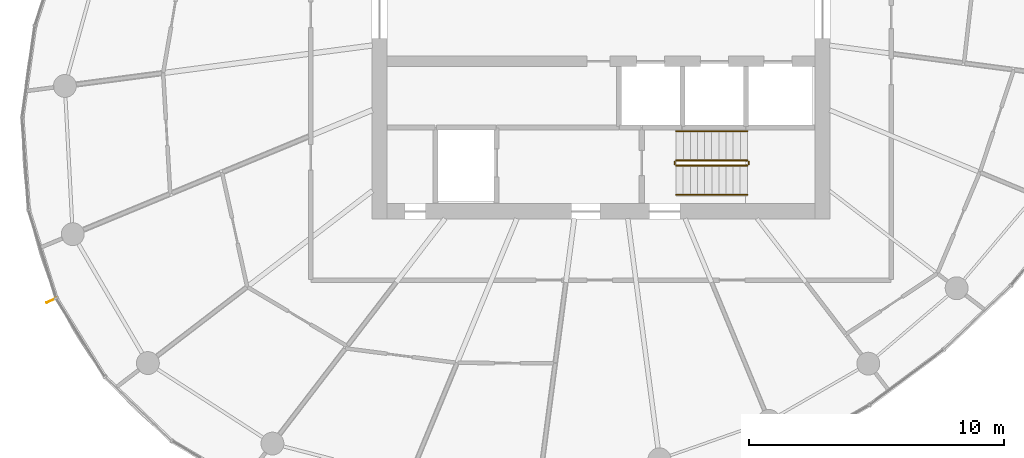
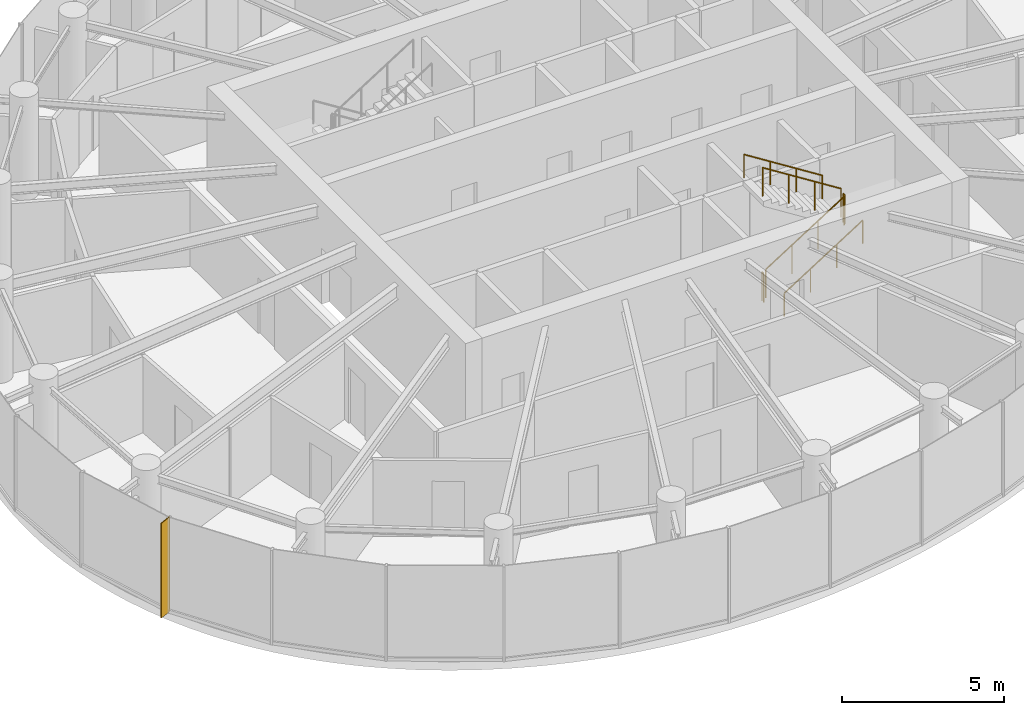
# One storey, part 14 of 15: 6 railings, 1 shading device.
"""IFC4 building model written with IfcOpenShell, lengths in metres."""

from ifc_helpers import new_model, si_unit, direction, frame, origin, origin_2d, place, context, subcontext, project, spatial, rectangle, circle, extrude, source, transform, mapped, material, material_profile, profile_set, type_object, element, save


model = new_model("IFC4")

# Units and contexts
model_context = context("Model", 3, precision=1e-05, world=origin(), true_north=direction((0.0, 1.0)))
body_context = subcontext(model_context, "Body", "Model", "MODEL_VIEW")
ifc_project = project(units=[si_unit("LENGTHUNIT", "METRE"), si_unit("AREAUNIT", "SQUARE_METRE"), si_unit("VOLUMEUNIT", "CUBIC_METRE"), si_unit("PLANEANGLEUNIT", "RADIAN"), si_unit("MASSUNIT", "GRAM", prefix="KILO")], contexts=[model_context])

# Site, building, storey
site_placement = place(None, origin())
site = spatial("IfcSite", under=ifc_project, at=site_placement, CompositionType="ELEMENT")
building_placement = place(site_placement, origin())
building = spatial("IfcBuilding", under=site, at=building_placement, Name="Spindrift Exchange Tower", CompositionType="ELEMENT")
storey_placement = place(building_placement, frame((0.0, 0.0, 199.39990234375)))
storey = spatial("IfcBuildingStorey", under=building, at=storey_placement, Name="L48", CompositionType="ELEMENT", Elevation=199.39990234375)

# Railings
ifc_material_1 = material(Name="Steel balustrade", Category="steel")
railing_type_1 = type_object("IfcRailingType", Name="RL-STAIR-GUARD", PredefinedType="GUARDRAIL", material=ifc_material_1)
railing_1_placement = place(storey_placement, frame((54.949951171875, 42.10009765625, 0.177490234375)))
element("IfcRailing", 1, at=railing_1_placement, inside=storey, type_object=railing_type_1, Name="L48 ST2 stair guard 1", PredefinedType="GUARDRAIL", context=body_context, shape_type="SweptSolid", body=[
    extrude(circle(Radius=0.02392578125, at=origin_2d()), frame((0.0, 0.0, 1.076171875), z_axis=(0.844908973607, 0.0, 0.534910110503), x_axis=(0.0, 1.0, 0.0)), (0.0, 0.0, 1.0), 3.31396484375),
    extrude(circle(Radius=0.02099609375, at=origin_2d()), origin(), (0.0, 0.0, 1.0), 1.052001953125),
    extrude(circle(Radius=0.02099609375, at=origin_2d()), frame((0.933349609375, 0.0, 0.5908203125)), (0.0, 0.0, 1.0), 1.052001953125),
    extrude(circle(Radius=0.02099609375, at=origin_2d()), frame((1.86669921875, 0.0, 1.181884765625)), (0.0, 0.0, 1.0), 1.052001953125),
    extrude(circle(Radius=0.02099609375, at=origin_2d()), frame((2.800048828125, 0.0, 1.772705078125)), (0.0, 0.0, 1.0), 1.052001953125),
])
railing_2_placement = place(storey_placement, frame((57.800048828125, 42.14990234375, 1.9501953125)))
element("IfcRailing", 2, at=railing_2_placement, inside=storey, type_object=railing_type_1, Name="L48 ST2 stair guard 2", PredefinedType="GUARDRAIL", context=body_context, shape_type="SweptSolid", body=[
    extrude(circle(Radius=0.02392578125, at=origin_2d()), frame((0.0, 0.0, 1.076171875), z_axis=(0.0, 1.0, 0.0), x_axis=(-1.0, 0.0, 0.0)), (0.0, 0.0, 1.0), 0.10009765625),
    extrude(circle(Radius=0.02099609375, at=origin_2d()), origin(), (0.0, 0.0, 1.0), 1.052001953125),
    extrude(circle(Radius=0.02099609375, at=origin_2d()), frame((0.0, 0.10009765625, 0.0)), (0.0, 0.0, 1.0), 1.052001953125),
])
railing_3_placement = place(storey_placement, frame((57.75, 42.300048828125, 2.12744140625)))
element("IfcRailing", 3, at=railing_3_placement, inside=storey, type_object=railing_type_1, Name="L48 ST2 stair guard 3", PredefinedType="GUARDRAIL", context=body_context, shape_type="SweptSolid", body=[
    extrude(circle(Radius=0.02392578125, at=origin_2d()), frame((0.0, 0.0, 1.076171875), z_axis=(-0.844908973607, 0.0, 0.534910110503), x_axis=(0.0, -1.0, 0.0)), (0.0, 0.0, 1.0), 3.31396484375),
    extrude(circle(Radius=0.02099609375, at=origin_2d()), origin(), (0.0, 0.0, 1.0), 1.052001953125),
    extrude(circle(Radius=0.02099609375, at=origin_2d()), frame((-0.933349609375, 0.0, 0.5908203125)), (0.0, 0.0, 1.0), 1.052001953125),
    extrude(circle(Radius=0.02099609375, at=origin_2d()), frame((-1.86669921875, 0.0, 1.181884765625)), (0.0, 0.0, 1.0), 1.052001953125),
    extrude(circle(Radius=0.02099609375, at=origin_2d()), frame((-2.800048828125, 0.0, 1.772705078125)), (0.0, 0.0, 1.0), 1.052001953125),
])
railing_4_placement = place(storey_placement, frame((54.89990234375, 42.14990234375, 0.0)))
element("IfcRailing", 4, at=railing_4_placement, inside=storey, type_object=railing_type_1, Name="L48 ST2 stair guard 4", PredefinedType="GUARDRAIL", context=body_context, shape_type="SweptSolid", body=[
    extrude(circle(Radius=0.02392578125, at=origin_2d()), frame((0.0, 0.0, 1.076171875), z_axis=(0.0, 1.0, 0.0), x_axis=(-1.0, 0.0, 0.0)), (0.0, 0.0, 1.0), 0.10009765625),
    extrude(circle(Radius=0.02099609375, at=origin_2d()), origin(), (0.0, 0.0, 1.0), 1.052001953125),
    extrude(circle(Radius=0.02099609375, at=origin_2d()), frame((0.0, 0.10009765625, 0.0)), (0.0, 0.0, 1.0), 1.052001953125),
])
ifc_material_2 = material(Name="Steel tubular handrail", Category="steel")
railing_type_2 = type_object("IfcRailingType", Name="RL-STAIR-HAND", PredefinedType="HANDRAIL", material=ifc_material_2)
railing_5_placement = place(storey_placement, frame((54.949951171875, 40.949951171875, 0.177490234375)))
element("IfcRailing", 5, at=railing_5_placement, inside=storey, type_object=railing_type_2, Name="L48 ST2 stair handrail 1", PredefinedType="HANDRAIL", context=body_context, shape_type="SweptSolid", body=[
    extrude(circle(Radius=0.02392578125, at=origin_2d()), frame((0.0, 0.0, 0.8759765625), z_axis=(0.844908973607, 0.0, 0.534910110503), x_axis=(0.0, 1.0, 0.0)), (0.0, 0.0, 1.0), 3.31396484375),
    extrude(circle(Radius=0.02099609375, at=origin_2d()), origin(), (0.0, 0.0, 1.0), 0.851806640625),
    extrude(circle(Radius=0.02099609375, at=origin_2d()), frame((0.933349609375, 0.0, 0.5908203125)), (0.0, 0.0, 1.0), 0.851806640625),
    extrude(circle(Radius=0.02099609375, at=origin_2d()), frame((1.86669921875, 0.0, 1.181884765625)), (0.0, 0.0, 1.0), 0.851806640625),
    extrude(circle(Radius=0.02099609375, at=origin_2d()), frame((2.800048828125, 0.0, 1.772705078125)), (0.0, 0.0, 1.0), 0.851806640625),
])
railing_6_placement = place(storey_placement, frame((57.75, 43.449951171875, 2.12744140625)))
element("IfcRailing", 6, at=railing_6_placement, inside=storey, type_object=railing_type_2, Name="L48 ST2 stair handrail 2", PredefinedType="HANDRAIL", context=body_context, shape_type="SweptSolid", body=[
    extrude(circle(Radius=0.02392578125, at=origin_2d()), frame((0.0, 0.0, 0.8759765625), z_axis=(-0.844908973607, 0.0, 0.534910110503), x_axis=(0.0, -1.0, 0.0)), (0.0, 0.0, 1.0), 3.31396484375),
    extrude(circle(Radius=0.02099609375, at=origin_2d()), origin(), (0.0, 0.0, 1.0), 0.851806640625),
    extrude(circle(Radius=0.02099609375, at=origin_2d()), frame((-0.933349609375, 0.0, 0.5908203125)), (0.0, 0.0, 1.0), 0.851806640625),
    extrude(circle(Radius=0.02099609375, at=origin_2d()), frame((-1.86669921875, 0.0, 1.181884765625)), (0.0, 0.0, 1.0), 0.851806640625),
    extrude(circle(Radius=0.02099609375, at=origin_2d()), frame((-2.800048828125, 0.0, 1.772705078125)), (0.0, 0.0, 1.0), 0.851806640625),
])

# Shading device
ifc_material_3 = material(Name="Bronze anodised aluminium", Category="aluminium")
ifc_material_profile = material_profile(ifc_material_3, rectangle(XDim=0.030029296875, YDim=0.449951171875, at=origin_2d()), Name="WIND FIN 30X450")
ifc_profile_set = profile_set([ifc_material_profile], Name="Bronze anodised aluminium")
shading_device_type = type_object("IfcShadingDeviceType", Name="WIND FIN 30X450", PredefinedType="USERDEFINED", material=ifc_profile_set)
shared_shape = source(origin(), body_context, "Body", "SweptSolid", [
    extrude(rectangle(XDim=0.030029296875, YDim=0.449951171875, at=origin_2d()), origin(), (0.0, 0.0, 1.0), 3.580078125),
])
shading_device_placement = place(storey_placement, frame((30.4228515625, 36.80615234375, 0.0), z_axis=(0.0, 0.0, 1.0), x_axis=(0.415914180754, -0.909403867513, 0.0)))
element("IfcShadingDevice", 7, at=shading_device_placement, inside=storey, type_object=shading_device_type, Name="L48 wind fin 1", ObjectType="FIN", PredefinedType="USERDEFINED", context=body_context, shape_type="MappedRepresentation", body=[
    mapped(shared_shape, transform((0.0, 0.0, 0.0), scale=1.0)),
])

save(model, "model.ifc")
